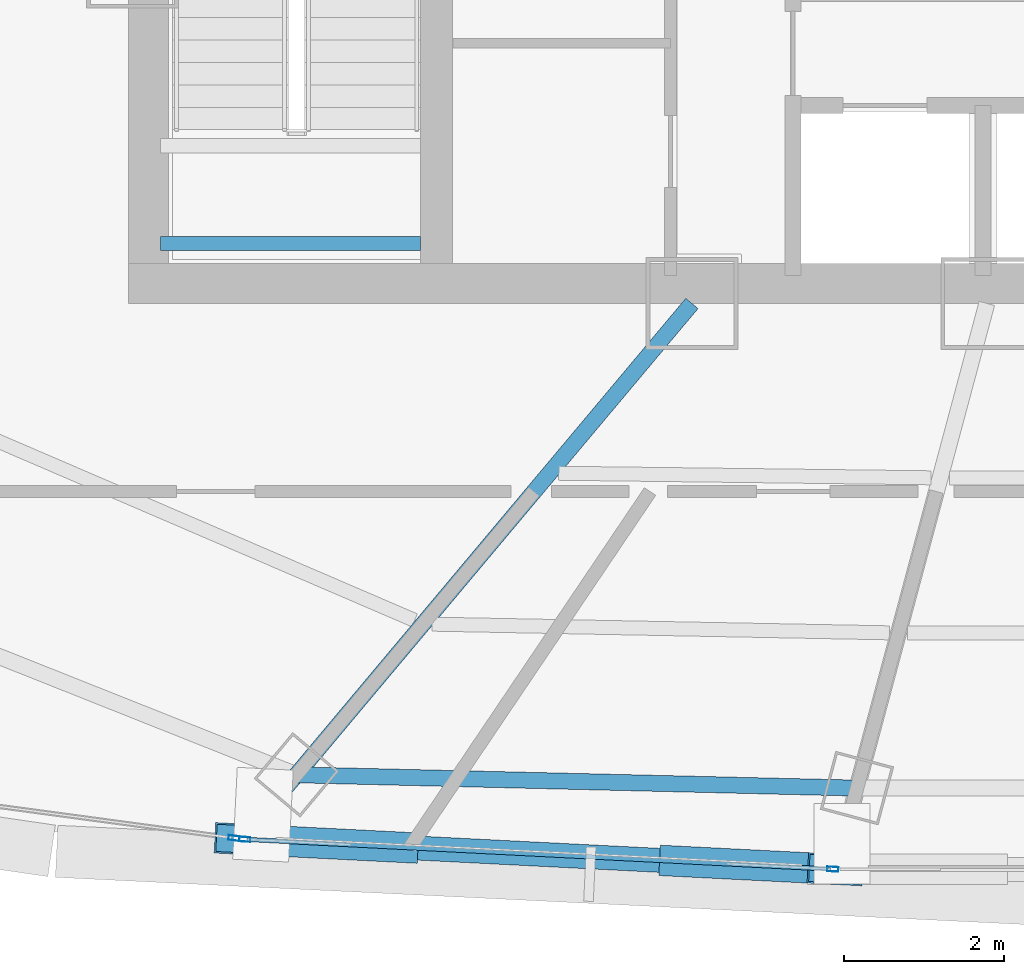
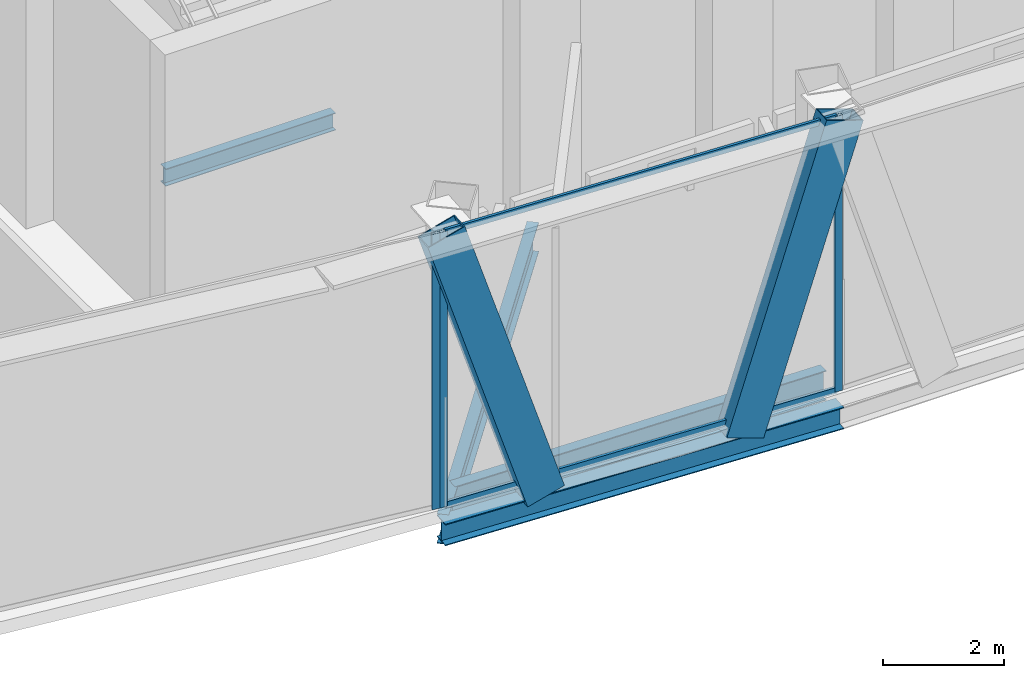
# One storey, part 6 of 33: 7 members, 4 beams, 2 elements without a shape of their own.
"""IFC4 building model written with IfcOpenShell, lengths in metres."""

import ifcopenshell
import ifcopenshell.guid

model = None  # the IFC model being written
_history = None  # IfcOwnerHistory: only IFC2X3 demands one
_inside = {}  # id of a spatial element -> (the spatial element, [elements in it])
_under = {}  # id of a project, library or spatial element -> (it, [spatial elements below it])
_declared = {}  # id of a project -> (the project, [libraries it declares])
_typed = {}  # id of a type object -> (the type object, [elements of that type])
_made_of = {}  # id of a material, layer set ... -> (it, [elements and type objects made of it])


def new_model(schema):
    """Start an empty IFC model of exactly this schema.

    Asked for "IFC4X3", IfcOpenShell would pick the latest addendum, in which some entities
    have other attributes; the version numbers below select the first issue.
    IFC2X3 requires an IfcOwnerHistory on every rooted entity: one is made here for all.
    """
    global model, _history
    if schema == "IFC4X3":
        model = ifcopenshell.file(schema_version=(4, 3, 0, 0))
    else:
        model = ifcopenshell.file(schema=schema)
    _inside.clear()
    _under.clear()
    _declared.clear()
    _typed.clear()
    _made_of.clear()
    _history = None
    if model.schema == "IFC2X3":
        org = make("IfcOrganization", Name="unknown")
        user = make(
            "IfcPersonAndOrganization",
            ThePerson=make("IfcPerson", FamilyName="unknown"),
            TheOrganization=org,
        )
        app = make(
            "IfcApplication",
            ApplicationDeveloper=org,
            Version="unknown",
            ApplicationFullName="unknown",
            ApplicationIdentifier="unknown",
        )
        _history = make(
            "IfcOwnerHistory",
            OwningUser=user,
            OwningApplication=app,
            ChangeAction="ADDED",
            CreationDate=0,
        )
    return model


def make(cls, **values):
    """One entity of the class cls with the attributes given. An attribute that is None is left unset."""
    return model.create_entity(
        cls, **{name: value for name, value in values.items() if value is not None}
    )


def rooted(cls, **values):
    """An entity with a GlobalId (a new one), such as an element, a storey or a relation."""
    return make(cls, GlobalId=ifcopenshell.guid.new(), OwnerHistory=_history, **values)


def si_unit(unit_type, name, prefix=None):
    """IfcSIUnit, for example si_unit("LENGTHUNIT", "METRE", prefix="MILLI")."""
    return make("IfcSIUnit", UnitType=unit_type, Prefix=prefix, Name=name)


def assignment(units):
    """IfcUnitAssignment: the units of a project."""
    return None if units is None else make("IfcUnitAssignment", Units=units)


def point(xyz):
    """IfcCartesianPoint."""
    return None if xyz is None else make("IfcCartesianPoint", Coordinates=xyz)


def direction(xyz):
    """IfcDirection."""
    return None if xyz is None else make("IfcDirection", DirectionRatios=xyz)


def frame(location, z_axis=None, x_axis=None):
    """IfcAxis2Placement3D, a coordinate frame: its origin and axes. An axis left out is left unset."""
    return make(
        "IfcAxis2Placement3D",
        Location=point(location),
        Axis=direction(z_axis),
        RefDirection=direction(x_axis),
    )


def frame_2d(location, x_axis=None):
    """IfcAxis2Placement2D, a coordinate frame in the plane: its origin and x axis."""
    return make(
        "IfcAxis2Placement2D", Location=point(location), RefDirection=direction(x_axis)
    )


def origin():
    """The frame at (0, 0, 0) with its axes left unset."""
    return frame((0.0, 0.0, 0.0))


def origin_2d():
    """The frame at (0, 0) in the plane with its x axis left unset."""
    return frame_2d((0.0, 0.0))


def place(relative_to, where):
    """IfcLocalPlacement: puts the frame where relative to a parent placement (None: the world)."""
    return make(
        "IfcLocalPlacement", PlacementRelTo=relative_to, RelativePlacement=where
    )


def context(
    kind, dimensions, precision=None, world=None, true_north=None, identifier=None
):
    """IfcGeometricRepresentationContext, for example the 3D "Model" context."""
    return make(
        "IfcGeometricRepresentationContext",
        ContextIdentifier=identifier,
        ContextType=kind,
        CoordinateSpaceDimension=dimensions,
        Precision=precision,
        WorldCoordinateSystem=world,
        TrueNorth=true_north,
    )


def subcontext(parent, identifier, kind, view, scale=None):
    """IfcGeometricRepresentationSubContext, for example "Body" below "Model"."""
    return make(
        "IfcGeometricRepresentationSubContext",
        ContextIdentifier=identifier,
        ContextType=kind,
        ParentContext=parent,
        TargetScale=scale,
        TargetView=view,
    )


def project(units=None, contexts=None):
    """IfcProject with its units and contexts."""
    return rooted(
        "IfcProject",
        Name="project",
        RepresentationContexts=contexts,
        UnitsInContext=assignment(units),
    )


def spatial(cls, under=None, at=None, **own):
    """A site, building, storey or space (cls), placed at a placement, below another one or the project."""
    s = rooted(cls, ObjectPlacement=at, **own)
    if under is not None:
        _under.setdefault(under.id(), (under, []))[1].append(s)
    return s


def profile(cls, at=None, kind="AREA", **sizes):
    """A parametric profile (cls). Its sizes go by their IFC names, for example OverallWidth=200.0."""
    return make(cls, ProfileType=kind, Position=at, **sizes)


def hollow_rectangle(**sizes):
    """IfcRectangleHollowProfileDef."""
    return profile("IfcRectangleHollowProfileDef", **sizes)


def i_section(**sizes):
    """IfcIShapeProfileDef."""
    return profile("IfcIShapeProfileDef", **sizes)


def extrude(swept, where, along, depth):
    """IfcExtrudedAreaSolid: the profile swept, set in the frame where, extruded along a direction by depth."""
    return make(
        "IfcExtrudedAreaSolid",
        SweptArea=swept,
        Position=where,
        ExtrudedDirection=direction(along),
        Depth=depth,
    )


def shape(context_of_items, identifier, shape_type, items):
    """IfcShapeRepresentation: the items that make up one representation, for example the "Body"."""
    return make(
        "IfcShapeRepresentation",
        ContextOfItems=context_of_items,
        RepresentationIdentifier=identifier,
        RepresentationType=shape_type,
        Items=items,
    )


def source(mapping_origin, context_of_items, identifier, shape_type, items):
    """IfcRepresentationMap: a shape defined once, which mapped items show again and again."""
    return make(
        "IfcRepresentationMap",
        MappingOrigin=mapping_origin,
        MappedRepresentation=shape(context_of_items, identifier, shape_type, items),
    )


def transform(
    local_origin,
    x_axis=None,
    y_axis=None,
    z_axis=None,
    scale=None,
    scale2=None,
    scale3=None,
    uniform=True,
):
    """IfcCartesianTransformationOperator3D, or its non-uniform kind. x_axis, y_axis, z_axis: its Axis1, 2, 3."""
    if uniform:
        return make(
            "IfcCartesianTransformationOperator3D",
            Axis1=direction(x_axis),
            Axis2=direction(y_axis),
            LocalOrigin=point(local_origin),
            Scale=scale,
            Axis3=direction(z_axis),
        )
    return make(
        "IfcCartesianTransformationOperator3DnonUniform",
        Axis1=direction(x_axis),
        Axis2=direction(y_axis),
        LocalOrigin=point(local_origin),
        Scale=scale,
        Axis3=direction(z_axis),
        Scale2=scale2,
        Scale3=scale3,
    )


def mapped(mapping_source, mapping_target):
    """IfcMappedItem: shows the shape of a source again, moved by a transform."""
    return make(
        "IfcMappedItem", MappingSource=mapping_source, MappingTarget=mapping_target
    )


def material(Name=None, Category=None):
    """IfcMaterial."""
    return make("IfcMaterial", Name=Name, Category=Category)


def layer(
    of_material, thickness, ventilated=None, Name=None, Category=None, Priority=None
):
    """IfcMaterialLayer: one layer of a wall or slab, of a material (None: an air gap)."""
    return make(
        "IfcMaterialLayer",
        Material=of_material,
        LayerThickness=thickness,
        IsVentilated=ventilated,
        Name=Name,
        Category=Category,
        Priority=Priority,
    )


def layer_set(layers, Name=None):
    """IfcMaterialLayerSet."""
    return make("IfcMaterialLayerSet", MaterialLayers=layers, LayerSetName=Name)


def material_profile(
    of_material, cross_section, Name=None, Category=None, Priority=None
):
    """IfcMaterialProfile: a cross section and its material."""
    return make(
        "IfcMaterialProfile",
        Name=Name,
        Material=of_material,
        Profile=cross_section,
        Priority=Priority,
        Category=Category,
    )


def profile_set(profiles, Name=None, composite=None):
    """IfcMaterialProfileSet."""
    return make(
        "IfcMaterialProfileSet",
        Name=Name,
        MaterialProfiles=profiles,
        CompositeProfile=composite,
    )


def made_of(thing, what):
    """Note that an element or type object is made of a material, layer set ...; save() writes the relation."""
    if what is not None:
        _made_of.setdefault(what.id(), (what, []))[1].append(thing)
    return thing


def type_object(cls, material=None, **own):
    """A type object (cls), such as IfcWallType, which elements share."""
    return made_of(rooted(cls, **own), material)


def element(
    cls,
    number,
    at=None,
    inside=None,
    cuts=None,
    type_object=None,
    material=None,
    context=None,
    identifier="Body",
    shape_type=None,
    held_by="IfcProductDefinitionShape",
    body=None,
    shapes=None,
    **own,
):
    """One element of the class cls, such as IfcWall. Its Tag is "e" and its number.

    at: its placement. inside: the storey or other place that contains it. cuts: it is an
    opening in that element (IfcRelVoidsElement). A single representation is given by context,
    identifier, shape_type and body (its items); several are given by shapes. held_by: the class
    of the entity that holds the representations. save() writes the other relations.
    """
    e = rooted(cls, Tag="e%d" % number, ObjectPlacement=at, **own)
    if body is not None:
        shapes = [shape(context, identifier, shape_type, body)]
    if shapes is not None:
        e.Representation = make(held_by, Representations=shapes)
    if inside is not None:
        _inside.setdefault(inside.id(), (inside, []))[1].append(e)
    if cuts is not None:
        rooted(
            "IfcRelVoidsElement", RelatingBuildingElement=cuts, RelatedOpeningElement=e
        )
    if type_object is not None:
        _typed.setdefault(type_object.id(), (type_object, []))[1].append(e)
    return made_of(e, material)


def aggregate(whole, parts):
    """IfcRelAggregates: a whole, such as a stair, and the parts it consists of."""
    return rooted("IfcRelAggregates", RelatingObject=whole, RelatedObjects=parts)


def save(model, path):
    """Write the relations noted so far, then the file.

    IfcRelAggregates (storeys below a building ...), IfcRelContainedInSpatialStructure (elements
    in a storey), IfcRelDefinesByType, IfcRelAssociatesMaterial and IfcRelDeclares: one each for
    every whole, place, type object, material and project.
    """
    for whole, parts in _under.values():
        aggregate(whole, parts)
    for where, things in _inside.values():
        rooted(
            "IfcRelContainedInSpatialStructure",
            RelatedElements=things,
            RelatingStructure=where,
        )
    for kind, things in _typed.values():
        rooted("IfcRelDefinesByType", RelatedObjects=things, RelatingType=kind)
    for what, things in _made_of.values():
        rooted("IfcRelAssociatesMaterial", RelatedObjects=things, RelatingMaterial=what)
    for by, libraries in _declared.values():
        rooted("IfcRelDeclares", RelatingContext=by, RelatedDefinitions=libraries)
    model.write(path)


model = new_model("IFC4")

# Units and contexts
model_context = context("Model", 3, precision=1e-05, world=origin(), true_north=direction((0.0, 1.0)))
body_context = subcontext(model_context, "Body", "Model", "MODEL_VIEW")
ifc_project = project(units=[si_unit("LENGTHUNIT", "METRE"), si_unit("AREAUNIT", "SQUARE_METRE"), si_unit("VOLUMEUNIT", "CUBIC_METRE"), si_unit("PLANEANGLEUNIT", "RADIAN"), si_unit("MASSUNIT", "GRAM", prefix="KILO"), si_unit("THERMODYNAMICTEMPERATUREUNIT", "KELVIN"), si_unit("POWERUNIT", "WATT")], contexts=[model_context])

# Site, building, storey
site_placement = place(None, origin())
site = spatial("IfcSite", under=ifc_project, at=site_placement, CompositionType="ELEMENT")
building_placement = place(site_placement, origin())
building = spatial("IfcBuilding", under=site, at=building_placement, Name="Yunzhuo Pagoda Commons", CompositionType="ELEMENT")
storey_placement = place(building_placement, frame((0.0, 0.0, 314.860107421875)))
storey = spatial("IfcBuildingStorey", under=building, at=storey_placement, Name="L79", CompositionType="ELEMENT", Elevation=314.860107421875)

# Beams
ifc_material_1 = material(Name="Structural steel Q355B", Category="steel")
ifc_material_profile_1 = material_profile(ifc_material_1, i_section(OverallWidth=0.175048828125, OverallDepth=0.35009765625, WebThickness=0.007080078125, FlangeThickness=0.010986328125, at=origin_2d()), Name="Structural steel Q355B")
ifc_profile_set_1 = profile_set([ifc_material_profile_1], Name="Structural steel Q355B")
beam_type_1 = type_object("IfcBeamType", Name="B-JS2 Joist HN 350x175x7x11", PredefinedType="JOIST", material=ifc_profile_set_1)
shared_shape_1 = source(origin(), body_context, "Body", "SweptSolid", [
    extrude(i_section(OverallWidth=0.175048828125, OverallDepth=0.35009765625, WebThickness=0.007080078125, FlangeThickness=0.010986328125, at=origin_2d()), origin(), (0.0, 0.0, 1.0), 3.25),
])
beam_1_placement = place(storey_placement, frame((35.949951171875, 28.0, 2.5498046875), z_axis=(1.0, 0.0, 0.0), x_axis=(0.0, 1.0, 0.0)))
element("IfcBeam", 1, at=beam_1_placement, inside=storey, type_object=beam_type_1, Name="L79 ST1 landing support beam 85A", PredefinedType="JOIST", context=body_context, shape_type="MappedRepresentation", body=[
    mapped(shared_shape_1, transform((0.0, 0.0, 0.0), scale=1.0)),
])
ifc_material_profile_2 = material_profile(ifc_material_1, i_section(OverallWidth=0.199951171875, OverallDepth=0.60009765625, WebThickness=0.010986328125, FlangeThickness=0.01708984375, at=origin_2d()), Name="Structural steel Q355B")
ifc_profile_set_2 = profile_set([ifc_material_profile_2], Name="Structural steel Q355B")
beam_type_2 = type_object("IfcBeamType", Name="B-RG3 Beam HN 600x200x11x17", PredefinedType="BEAM", material=ifc_profile_set_2)
shared_shape_2 = source(origin(), body_context, "Body", "SweptSolid", [
    extrude(i_section(OverallWidth=0.199951171875, OverallDepth=0.60009765625, WebThickness=0.010986328125, FlangeThickness=0.01708984375, at=origin_2d()), origin(), (0.0, 0.0, 1.0), 7.00439453125),
])
beam_2_placement = place(storey_placement, frame((37.64697265625, 21.361572265625, -0.56005859375), z_axis=(0.999719077883, -0.023701588905, 0.0), x_axis=(0.023701588905, 0.999719077883, 0.0)))
element("IfcBeam", 2, at=beam_2_placement, inside=storey, type_object=beam_type_2, Name="L79 column-ring beam 1", PredefinedType="BEAM", context=body_context, shape_type="MappedRepresentation", body=[
    mapped(shared_shape_2, transform((0.0, 0.0, 0.0), scale=1.0)),
])
shared_shape_3 = source(origin(), body_context, "Body", "SweptSolid", [
    extrude(i_section(OverallWidth=0.199951171875, OverallDepth=0.60009765625, WebThickness=0.010986328125, FlangeThickness=0.01708984375, at=origin_2d()), origin(), (0.0, 0.0, 1.0), 8.58203125),
])
beam_3_placement = place(storey_placement, frame((37.071533203125, 20.67578125, -0.56005859375), z_axis=(0.642783021027, 0.766048293438, 0.0), x_axis=(-0.766048293438, 0.642783021027, 0.0)))
element("IfcBeam", 3, at=beam_3_placement, inside=storey, type_object=beam_type_2, Name="L79 radial floor girder F1C1", PredefinedType="BEAM", context=body_context, shape_type="MappedRepresentation", body=[
    mapped(shared_shape_3, transform((0.0, 0.0, 0.0), scale=1.0)),
])
ifc_material_profile_3 = material_profile(ifc_material_1, i_section(OverallWidth=0.300048828125, OverallDepth=0.43994140625, WebThickness=0.010986328125, FlangeThickness=0.01806640625, at=origin_2d()), Name="Structural steel Q355B")
ifc_profile_set_3 = profile_set([ifc_material_profile_3], Name="Structural steel Q355B")
beam_type_3 = type_object("IfcBeamType", Name="B-SP2 Beam HM 440x300x11x18", PredefinedType="BEAM", material=ifc_profile_set_3)
shared_shape_4 = source(origin(), body_context, "Body", "SweptSolid", [
    extrude(i_section(OverallWidth=0.300048828125, OverallDepth=0.43994140625, WebThickness=0.010986328125, FlangeThickness=0.01806640625, at=origin_2d()), origin(), (0.0, 0.0, 1.0), 7.41552734375),
])
beam_4_placement = place(storey_placement, frame((36.971923828125, 20.55712890625, -0.480224609375), z_axis=(0.99871720168, -0.050635472431, 0.0), x_axis=(0.050635472431, 0.99871720168, 0.0)))
element("IfcBeam", 4, at=beam_4_placement, inside=storey, type_object=beam_type_3, Name="L79 facade edge spandrel beam F1.1", PredefinedType="BEAM", context=body_context, shape_type="MappedRepresentation", body=[
    mapped(shared_shape_4, transform((0.0, 0.0, 0.0), scale=1.0)),
])

# Members
ifc_material_profile_4 = material_profile(ifc_material_1, hollow_rectangle(XDim=0.3798828125, YDim=0.719970703125, WallThickness=0.02001953125, at=origin_2d()), Name="Structural steel Q355B")
ifc_profile_set_4 = profile_set([ifc_material_profile_4], Name="Structural steel Q355B")
member_type_1 = type_object("IfcMemberType", Name="M-DL3 Brace BOX 720x380x20", PredefinedType="BRACE", material=ifc_profile_set_4)
shared_shape_5 = source(origin(), body_context, "Body", "SweptSolid", [
    extrude(hollow_rectangle(XDim=0.3798828125, YDim=0.719970703125, WallThickness=0.02001953125, at=origin_2d()), origin(), (0.0, 0.0, 1.0), 6.117431640625),
])
member_1_placement = place(storey_placement, frame((38.8232421875, 20.463134765625, -0.260009765625), z_axis=(-0.302629158636, 0.015364924974, 0.952984528428), x_axis=(-0.050706150872, -0.99871361574, 0.0)))
element("IfcMember", 5, at=member_1_placement, inside=storey, type_object=member_type_1, Name="L79 facade diamond brace F1.1L", PredefinedType="BRACE", context=body_context, shape_type="MappedRepresentation", body=[
    mapped(shared_shape_5, transform((0.0, 0.0, 0.0), scale=1.0)),
])
shared_shape_6 = source(origin(), body_context, "Body", "SweptSolid", [
    extrude(hollow_rectangle(XDim=0.3798828125, YDim=0.719970703125, WallThickness=0.02001953125, at=origin_2d()), origin(), (0.0, 0.0, 1.0), 6.11767578125),
])
member_2_placement = place(storey_placement, frame((42.526123046875, 20.275390625, -0.260009765625), z_axis=(0.302701849102, -0.015324655248, 0.95296209027), x_axis=(0.050561482518, 0.998720950259, 0.0)))
element("IfcMember", 6, at=member_2_placement, inside=storey, type_object=member_type_1, Name="L79 facade diamond brace F1.1R", PredefinedType="BRACE", context=body_context, shape_type="MappedRepresentation", body=[
    mapped(shared_shape_6, transform((0.0, 0.0, 0.0), scale=1.0)),
])

# Curtain wall, members
ifc_material_2 = material(Name="Anodized aluminium 6063-T6", Category="aluminium")
ifc_layer = layer(ifc_material_2, 0.139892578125)
ifc_layer_set = layer_set([ifc_layer], Name="Anodized aluminium 6063-T6")
curtain_wall_type = type_object("IfcCurtainWallType", Name="CW-HI High-Zone Ribbon Curtain Wall", PredefinedType="NOTDEFINED", material=ifc_layer_set)
curtain_wall_1_placement = place(storey_placement, origin())
curtain_wall_1 = element("IfcCurtainWall", 7, at=curtain_wall_1_placement, inside=storey, type_object=curtain_wall_type, Name="L79 curtain wall CW-L79-F1B2", PredefinedType="NOTDEFINED")
ifc_material_profile_5 = material_profile(ifc_material_2, hollow_rectangle(XDim=0.054931640625, YDim=0.1201171875, WallThickness=0.00341796875, at=origin_2d()), Name="Anodized aluminium 6063-T6")
ifc_profile_set_5 = profile_set([ifc_material_profile_5], Name="Anodized aluminium 6063-T6")
member_type_2 = type_object("IfcMemberType", Name="CW-HI-T Transom RHS 120x55x3.5", PredefinedType="USERDEFINED", material=ifc_profile_set_5)
shared_shape_7 = source(origin(), body_context, "Body", "SweptSolid", [
    extrude(hollow_rectangle(XDim=0.054931640625, YDim=0.1201171875, WallThickness=0.00341796875, at=origin_2d()), origin(), (0.0, 0.0, 1.0), 7.29541015625),
])
member_3_placement = place(storey_placement, frame((37.03173828125, 20.55419921875, 0.02734375), z_axis=(0.998713994516, -0.050698689911, 0.0), x_axis=(0.050698689911, 0.998713994516, 0.0)))
member_3 = element("IfcMember", 8, at=member_3_placement, type_object=member_type_2, Name="CW transom 1.1", ObjectType="TRANSOM", PredefinedType="USERDEFINED", context=body_context, shape_type="MappedRepresentation", body=[
    mapped(shared_shape_7, transform((0.0, 0.0, 0.0), scale=1.0)),
])
member_4_placement = place(storey_placement, frame((37.03173828125, 20.55419921875, 5.54248046875), z_axis=(0.998713994516, -0.050698689911, 0.0), x_axis=(0.050698689911, 0.998713994516, 0.0)))
member_4 = element("IfcMember", 9, at=member_4_placement, type_object=member_type_2, Name="CW transom 1.2", ObjectType="TRANSOM", PredefinedType="USERDEFINED", context=body_context, shape_type="MappedRepresentation", body=[
    mapped(shared_shape_7, transform((0.0, 0.0, 0.0), scale=1.0)),
])
ifc_material_profile_6 = material_profile(ifc_material_2, hollow_rectangle(XDim=0.06005859375, YDim=0.139892578125, WallThickness=0.00341796875, at=origin_2d()), Name="Anodized aluminium 6063-T6")
ifc_profile_set_6 = profile_set([ifc_material_profile_6], Name="Anodized aluminium 6063-T6")
member_type_3 = type_object("IfcMemberType", Name="CW-HI-M Mullion RHS 140x60x3.5", PredefinedType="MULLION", material=ifc_profile_set_6)
shared_shape_8 = source(origin(), body_context, "Body", "SweptSolid", [
    extrude(hollow_rectangle(XDim=0.06005859375, YDim=0.139892578125, WallThickness=0.00341796875, at=origin_2d()), origin(), (0.0, 0.0, 1.0), 5.56982421875),
])
member_5_placement = place(storey_placement, frame((37.001953125, 20.5556640625, 0.0), z_axis=(0.0, 0.0, 1.0), x_axis=(0.050692256518, 0.998714321079, 0.0)))
member_5 = element("IfcMember", 10, at=member_5_placement, type_object=member_type_3, Name="CW mullion 1", PredefinedType="MULLION", context=body_context, shape_type="MappedRepresentation", body=[
    mapped(shared_shape_8, transform((0.0, 0.0, 0.0), scale=1.0)),
])
member_6_placement = place(storey_placement, frame((44.34765625, 20.182861328125, 0.0), z_axis=(0.0, 0.0, 1.0), x_axis=(0.050692256518, 0.998714321079, 0.0)))
member_6 = element("IfcMember", 11, at=member_6_placement, type_object=member_type_3, Name="CW mullion 2", PredefinedType="MULLION", context=body_context, shape_type="MappedRepresentation", body=[
    mapped(shared_shape_8, transform((0.0, 0.0, 0.0), scale=1.0)),
])
aggregate(curtain_wall_1, [member_5, member_6, member_3, member_4])

# Curtain wall, member
curtain_wall_2_placement = place(storey_placement, origin())
curtain_wall_2 = element("IfcCurtainWall", 12, at=curtain_wall_2_placement, inside=storey, type_object=curtain_wall_type, Name="L79 curtain wall CW-L79-F1B1", PredefinedType="NOTDEFINED")
member_7_placement = place(storey_placement, frame((36.867919921875, 20.5712890625, 0.0), z_axis=(0.0, 0.0, 1.0), x_axis=(0.133518525759, 0.991046317424, 0.0)))
member_7 = element("IfcMember", 13, at=member_7_placement, type_object=member_type_3, Name="CW mullion 2", PredefinedType="MULLION", context=body_context, shape_type="MappedRepresentation", body=[
    mapped(shared_shape_8, transform((0.0, 0.0, 0.0), scale=1.0)),
])
aggregate(curtain_wall_2, [member_7])

save(model, "model.ifc")
